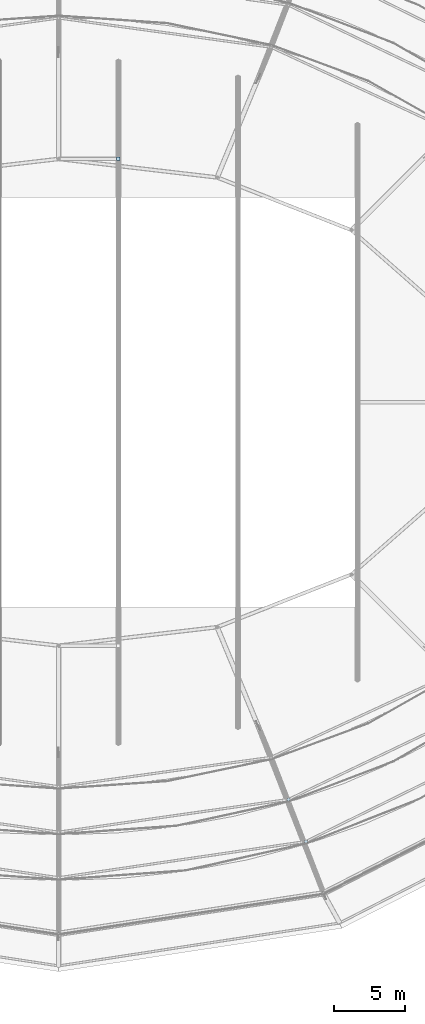
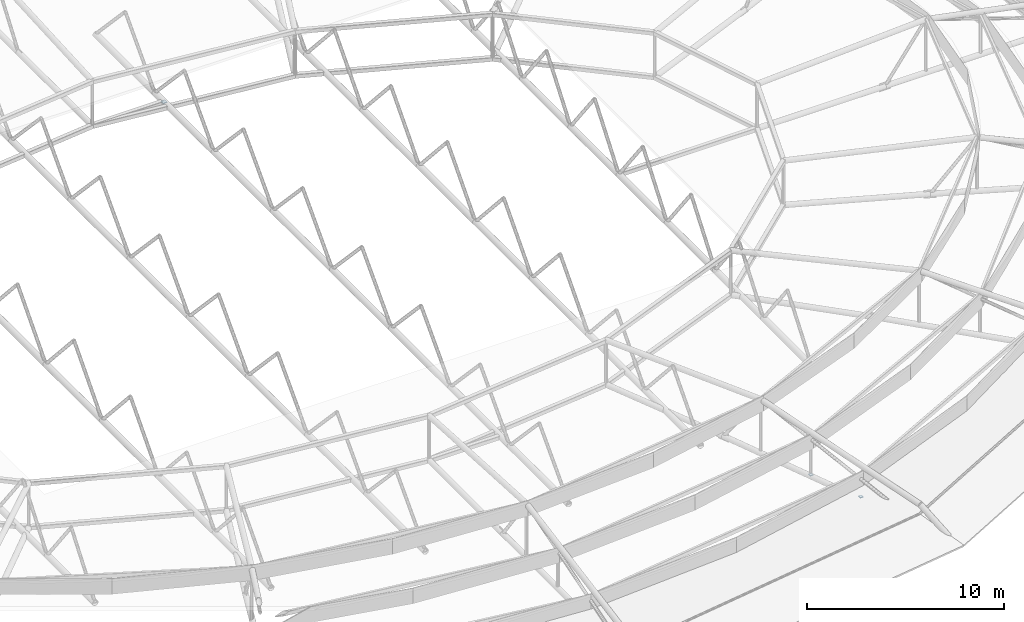
# One storey, part 116 of 134: 3 plates.
"""IFC4 building model written with IfcOpenShell, lengths in metres."""

import ifcopenshell
import ifcopenshell.guid

model = None  # the IFC model being written
_history = None  # IfcOwnerHistory: only IFC2X3 demands one
_inside = {}  # id of a spatial element -> (the spatial element, [elements in it])
_under = {}  # id of a project, library or spatial element -> (it, [spatial elements below it])
_declared = {}  # id of a project -> (the project, [libraries it declares])
_typed = {}  # id of a type object -> (the type object, [elements of that type])
_made_of = {}  # id of a material, layer set ... -> (it, [elements and type objects made of it])


def new_model(schema):
    """Start an empty IFC model of exactly this schema.

    Asked for "IFC4X3", IfcOpenShell would pick the latest addendum, in which some entities
    have other attributes; the version numbers below select the first issue.
    IFC2X3 requires an IfcOwnerHistory on every rooted entity: one is made here for all.
    """
    global model, _history
    if schema == "IFC4X3":
        model = ifcopenshell.file(schema_version=(4, 3, 0, 0))
    else:
        model = ifcopenshell.file(schema=schema)
    _inside.clear()
    _under.clear()
    _declared.clear()
    _typed.clear()
    _made_of.clear()
    _history = None
    if model.schema == "IFC2X3":
        org = make("IfcOrganization", Name="unknown")
        user = make(
            "IfcPersonAndOrganization",
            ThePerson=make("IfcPerson", FamilyName="unknown"),
            TheOrganization=org,
        )
        app = make(
            "IfcApplication",
            ApplicationDeveloper=org,
            Version="unknown",
            ApplicationFullName="unknown",
            ApplicationIdentifier="unknown",
        )
        _history = make(
            "IfcOwnerHistory",
            OwningUser=user,
            OwningApplication=app,
            ChangeAction="ADDED",
            CreationDate=0,
        )
    return model


def make(cls, **values):
    """One entity of the class cls with the attributes given. An attribute that is None is left unset."""
    return model.create_entity(
        cls, **{name: value for name, value in values.items() if value is not None}
    )


def rooted(cls, **values):
    """An entity with a GlobalId (a new one), such as an element, a storey or a relation."""
    return make(cls, GlobalId=ifcopenshell.guid.new(), OwnerHistory=_history, **values)


def si_unit(unit_type, name, prefix=None):
    """IfcSIUnit, for example si_unit("LENGTHUNIT", "METRE", prefix="MILLI")."""
    return make("IfcSIUnit", UnitType=unit_type, Prefix=prefix, Name=name)


def derived_unit(unit_type, elements):
    """IfcDerivedUnit: a product of units, each with its exponent."""
    return make(
        "IfcDerivedUnit",
        Elements=[
            make("IfcDerivedUnitElement", Unit=unit, Exponent=power)
            for unit, power in elements
        ],
        UnitType=unit_type,
    )


def assignment(units):
    """IfcUnitAssignment: the units of a project."""
    return None if units is None else make("IfcUnitAssignment", Units=units)


def point(xyz):
    """IfcCartesianPoint."""
    return None if xyz is None else make("IfcCartesianPoint", Coordinates=xyz)


def direction(xyz):
    """IfcDirection."""
    return None if xyz is None else make("IfcDirection", DirectionRatios=xyz)


def frame(location, z_axis=None, x_axis=None):
    """IfcAxis2Placement3D, a coordinate frame: its origin and axes. An axis left out is left unset."""
    return make(
        "IfcAxis2Placement3D",
        Location=point(location),
        Axis=direction(z_axis),
        RefDirection=direction(x_axis),
    )


def frame_2d(location, x_axis=None):
    """IfcAxis2Placement2D, a coordinate frame in the plane: its origin and x axis."""
    return make(
        "IfcAxis2Placement2D", Location=point(location), RefDirection=direction(x_axis)
    )


def origin():
    """The frame at (0, 0, 0) with its axes left unset."""
    return frame((0.0, 0.0, 0.0))


def origin_2d():
    """The frame at (0, 0) in the plane with its x axis left unset."""
    return frame_2d((0.0, 0.0))


def place(relative_to, where):
    """IfcLocalPlacement: puts the frame where relative to a parent placement (None: the world)."""
    return make(
        "IfcLocalPlacement", PlacementRelTo=relative_to, RelativePlacement=where
    )


def context(
    kind, dimensions, precision=None, world=None, true_north=None, identifier=None
):
    """IfcGeometricRepresentationContext, for example the 3D "Model" context."""
    return make(
        "IfcGeometricRepresentationContext",
        ContextIdentifier=identifier,
        ContextType=kind,
        CoordinateSpaceDimension=dimensions,
        Precision=precision,
        WorldCoordinateSystem=world,
        TrueNorth=true_north,
    )


def subcontext(parent, identifier, kind, view, scale=None):
    """IfcGeometricRepresentationSubContext, for example "Body" below "Model"."""
    return make(
        "IfcGeometricRepresentationSubContext",
        ContextIdentifier=identifier,
        ContextType=kind,
        ParentContext=parent,
        TargetScale=scale,
        TargetView=view,
    )


def project(units=None, contexts=None):
    """IfcProject with its units and contexts."""
    return rooted(
        "IfcProject",
        Name="project",
        RepresentationContexts=contexts,
        UnitsInContext=assignment(units),
    )


def spatial(cls, under=None, at=None, **own):
    """A site, building, storey or space (cls), placed at a placement, below another one or the project."""
    s = rooted(cls, ObjectPlacement=at, **own)
    if under is not None:
        _under.setdefault(under.id(), (under, []))[1].append(s)
    return s


def profile(cls, at=None, kind="AREA", **sizes):
    """A parametric profile (cls). Its sizes go by their IFC names, for example OverallWidth=200.0."""
    return make(cls, ProfileType=kind, Position=at, **sizes)


def rectangle(**sizes):
    """IfcRectangleProfileDef."""
    return profile("IfcRectangleProfileDef", **sizes)


def extrude(swept, where, along, depth):
    """IfcExtrudedAreaSolid: the profile swept, set in the frame where, extruded along a direction by depth."""
    return make(
        "IfcExtrudedAreaSolid",
        SweptArea=swept,
        Position=where,
        ExtrudedDirection=direction(along),
        Depth=depth,
    )


def shape(context_of_items, identifier, shape_type, items):
    """IfcShapeRepresentation: the items that make up one representation, for example the "Body"."""
    return make(
        "IfcShapeRepresentation",
        ContextOfItems=context_of_items,
        RepresentationIdentifier=identifier,
        RepresentationType=shape_type,
        Items=items,
    )


def material(Name=None, Category=None):
    """IfcMaterial."""
    return make("IfcMaterial", Name=Name, Category=Category)


def layer(
    of_material, thickness, ventilated=None, Name=None, Category=None, Priority=None
):
    """IfcMaterialLayer: one layer of a wall or slab, of a material (None: an air gap)."""
    return make(
        "IfcMaterialLayer",
        Material=of_material,
        LayerThickness=thickness,
        IsVentilated=ventilated,
        Name=Name,
        Category=Category,
        Priority=Priority,
    )


def layer_set(layers, Name=None):
    """IfcMaterialLayerSet."""
    return make("IfcMaterialLayerSet", MaterialLayers=layers, LayerSetName=Name)


def made_of(thing, what):
    """Note that an element or type object is made of a material, layer set ...; save() writes the relation."""
    if what is not None:
        _made_of.setdefault(what.id(), (what, []))[1].append(thing)
    return thing


def type_object(cls, material=None, **own):
    """A type object (cls), such as IfcWallType, which elements share."""
    return made_of(rooted(cls, **own), material)


def element(
    cls,
    number,
    at=None,
    inside=None,
    cuts=None,
    type_object=None,
    material=None,
    context=None,
    identifier="Body",
    shape_type=None,
    held_by="IfcProductDefinitionShape",
    body=None,
    shapes=None,
    **own,
):
    """One element of the class cls, such as IfcWall. Its Tag is "e" and its number.

    at: its placement. inside: the storey or other place that contains it. cuts: it is an
    opening in that element (IfcRelVoidsElement). A single representation is given by context,
    identifier, shape_type and body (its items); several are given by shapes. held_by: the class
    of the entity that holds the representations. save() writes the other relations.
    """
    e = rooted(cls, Tag="e%d" % number, ObjectPlacement=at, **own)
    if body is not None:
        shapes = [shape(context, identifier, shape_type, body)]
    if shapes is not None:
        e.Representation = make(held_by, Representations=shapes)
    if inside is not None:
        _inside.setdefault(inside.id(), (inside, []))[1].append(e)
    if cuts is not None:
        rooted(
            "IfcRelVoidsElement", RelatingBuildingElement=cuts, RelatedOpeningElement=e
        )
    if type_object is not None:
        _typed.setdefault(type_object.id(), (type_object, []))[1].append(e)
    return made_of(e, material)


def aggregate(whole, parts):
    """IfcRelAggregates: a whole, such as a stair, and the parts it consists of."""
    return rooted("IfcRelAggregates", RelatingObject=whole, RelatedObjects=parts)


def save(model, path):
    """Write the relations noted so far, then the file.

    IfcRelAggregates (storeys below a building ...), IfcRelContainedInSpatialStructure (elements
    in a storey), IfcRelDefinesByType, IfcRelAssociatesMaterial and IfcRelDeclares: one each for
    every whole, place, type object, material and project.
    """
    for whole, parts in _under.values():
        aggregate(whole, parts)
    for where, things in _inside.values():
        rooted(
            "IfcRelContainedInSpatialStructure",
            RelatedElements=things,
            RelatingStructure=where,
        )
    for kind, things in _typed.values():
        rooted("IfcRelDefinesByType", RelatedObjects=things, RelatingType=kind)
    for what, things in _made_of.values():
        rooted("IfcRelAssociatesMaterial", RelatedObjects=things, RelatingMaterial=what)
    for by, libraries in _declared.values():
        rooted("IfcRelDeclares", RelatingContext=by, RelatedDefinitions=libraries)
    model.write(path)


model = new_model("IFC4")

# Units and contexts
model_context = context("Model", 3, precision=1e-05, world=origin(), true_north=direction((0.0, 1.0)))
body_context = subcontext(model_context, "Body", "Model", "MODEL_VIEW")
ifc_project = project(units=[si_unit("LENGTHUNIT", "METRE"), si_unit("AREAUNIT", "SQUARE_METRE"), si_unit("VOLUMEUNIT", "CUBIC_METRE"), si_unit("PLANEANGLEUNIT", "RADIAN"), si_unit("MASSUNIT", "GRAM", prefix="KILO"), derived_unit("THERMALTRANSMITTANCEUNIT", [(si_unit("MASSUNIT", "GRAM", prefix="KILO"), 1), (si_unit("TIMEUNIT", "SECOND"), -3), (si_unit("THERMODYNAMICTEMPERATUREUNIT", "KELVIN"), -1)])], contexts=[model_context])

# Site, building, storey
site_placement = place(None, origin())
site = spatial("IfcSite", under=ifc_project, at=site_placement, CompositionType="ELEMENT")
building_placement = place(site_placement, origin())
building = spatial("IfcBuilding", under=site, at=building_placement, Name="Kharveza Railside Sports Centre", CompositionType="ELEMENT")
storey_placement = place(building_placement, frame((0.0, 0.0, 12.89990234375)))
storey = spatial("IfcBuildingStorey", under=building, at=storey_placement, Name="L03", CompositionType="ELEMENT", Elevation=12.89990234375)

# Plates
ifc_material = material(Name="Steel S355J2", Category="steel")
ifc_layer_1 = layer(ifc_material, 0.02001953125, Name="Steel S355J2")
ifc_layer_set_1 = layer_set([ifc_layer_1], Name="Steel S355J2")
plate_type_1 = type_object("IfcPlateType", Name="PL-EC06", PredefinedType="USERDEFINED", material=ifc_layer_set_1)
plate_placement = place(storey_placement, frame((58.800048828125, 67.5, -0.059814453125), z_axis=(0.0, 0.0, 1.0), x_axis=(1.0, 0.0, 0.0)))
element("IfcPlate", 1, at=plate_placement, inside=storey, type_object=plate_type_1, Name="PLT-EC-084", ObjectType="END_CAP_PLATE", PredefinedType="USERDEFINED", context=body_context, shape_type="SweptSolid", body=[
    extrude(rectangle(XDim=0.25, YDim=0.25, at=origin_2d()), origin(), (0.0, 0.0, 1.0), 0.02001953125),
])
ifc_layer_2 = layer(ifc_material, 0.02001953125, Name="Steel S355J2")
ifc_layer_set_2 = layer_set([ifc_layer_2], Name="Steel S355J2")
plate_type_2 = type_object("IfcPlateType", Name="PL-EC09", PredefinedType="USERDEFINED", material=ifc_layer_set_2)
for number, where, z_axis, x_axis, name in (
    (2, (71.973876953125, 19.54248046875, -0.059814453125), (0.0, 0.0, 1.0), (1.0, 0.0, 0.0), "PLT-EC-033"),
    (3, (70.749267578125, 22.498779296875, -0.059814453125), (0.0, 0.0, 1.0), (1.0, 0.0, 0.0), "PLT-EC-049"),
):
    element("IfcPlate", number, at=place(storey_placement, frame(where, z_axis=z_axis, x_axis=x_axis)), inside=storey, type_object=plate_type_2, Name=name, ObjectType="END_CAP_PLATE", PredefinedType="USERDEFINED", context=body_context, shape_type="SweptSolid", body=[
        extrude(rectangle(XDim=0.194091796875, YDim=0.194091796875, at=origin_2d()), origin(), (0.0, 0.0, 1.0), 0.02001953125),
    ])

save(model, "model.ifc")
